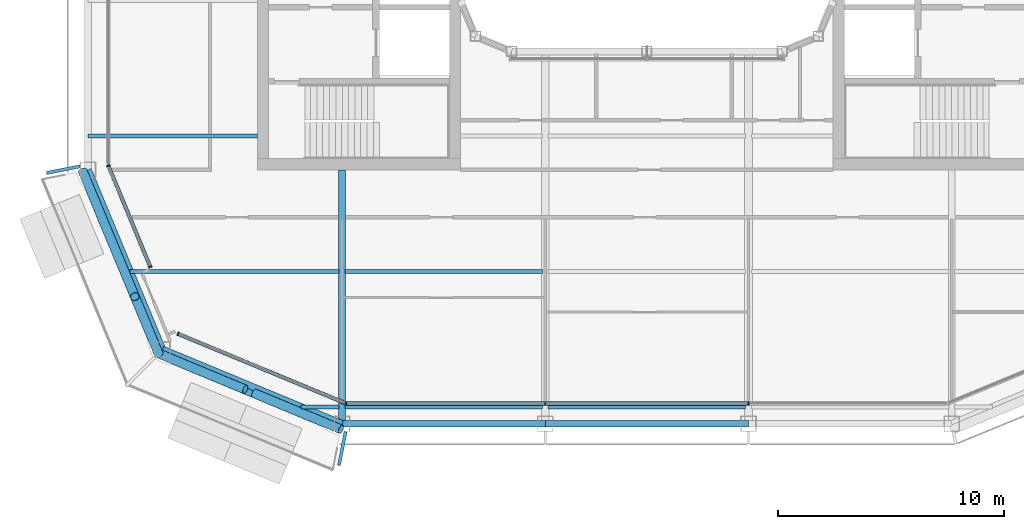
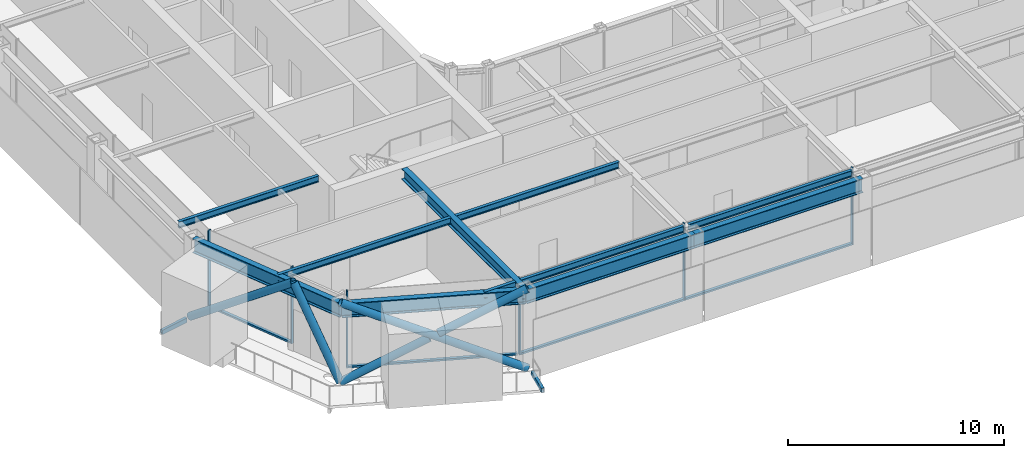
# One storey, part 3 of 21: 15 members, 13 beams, 3 elements without a shape of their own.
"""IFC4 building model written with IfcOpenShell, lengths in metres."""

from ifc_helpers import new_model, si_unit, direction, frame, origin, origin_2d, place, context, subcontext, project, spatial, rectangle, hollow_rectangle, hollow_circle, i_section, extrude, material, layer, layer_set, material_profile, profile_set, type_object, element, aggregate, save


model = new_model("IFC4")

# Units and contexts
model_context = context("Model", 3, precision=1e-05, world=origin(), true_north=direction((0.0, 1.0)))
body_context = subcontext(model_context, "Body", "Model", "MODEL_VIEW")
ifc_project = project(units=[si_unit("LENGTHUNIT", "METRE"), si_unit("AREAUNIT", "SQUARE_METRE"), si_unit("VOLUMEUNIT", "CUBIC_METRE"), si_unit("PLANEANGLEUNIT", "RADIAN"), si_unit("MASSUNIT", "GRAM", prefix="KILO")], contexts=[model_context])

# Site, building, storey
site_placement = place(None, origin())
site = spatial("IfcSite", under=ifc_project, at=site_placement, CompositionType="ELEMENT")
building_placement = place(site_placement, origin())
building = spatial("IfcBuilding", under=site, at=building_placement, Name="Siwar Civic Tower", CompositionType="ELEMENT")
storey_placement = place(building_placement, frame((0.0, 0.0, 334.699951171875)))
storey = spatial("IfcBuildingStorey", under=building, at=storey_placement, Name="L72", CompositionType="ELEMENT", Elevation=334.699951171875)

# Beams
ifc_material_1 = material(Name="Steel S355", Category="steel")
ifc_material_profile_1 = material_profile(ifc_material_1, hollow_rectangle(XDim=0.14990234375, YDim=0.25, WallThickness=0.010009765625, at=origin_2d()), Name="RHS250x150x10")
ifc_profile_set_1 = profile_set([ifc_material_profile_1], Name="Steel S355")
beam_type_1 = type_object("IfcBeamType", Name="ENV-BALCONY ARM", PredefinedType="BEAM", material=ifc_profile_set_1)
for number, where, z_axis, x_axis, name in (
    (1, (-25.10009765625, -13.34521484375, -0.27490234375), (-0.980778646446, -0.195123670207, 0.0), (0.195123670207, -0.980778646446, 0.0), "Balcony cantilever beam SW 1"),
    (2, (-13.34521484375, -25.10009765625, -0.27490234375), (-0.195123670207, -0.980778646446, 0.0), (0.980778646446, -0.195123670207, 0.0), "Balcony cantilever beam SW 3"),
):
    element("IfcBeam", number, at=place(storey_placement, frame(where, z_axis=z_axis, x_axis=x_axis)), inside=storey, type_object=beam_type_1, Name=name, PredefinedType="BEAM", context=body_context, shape_type="SweptSolid", body=[
        extrude(hollow_rectangle(XDim=0.14990234375, YDim=0.25, WallThickness=0.010009765625, at=origin_2d()), origin(), (0.0, 0.0, 1.0), 1.513916015625),
    ])

# Curtain wall, members
ifc_material_2 = material(Name="Aluminium and glass", Category="aluminium")
ifc_layer_1 = layer(ifc_material_2, 0.159912109375)
ifc_layer_set_1 = layer_set([ifc_layer_1], Name="Aluminium and glass")
curtain_wall_type_1 = type_object("IfcCurtainWallType", Name="ENV-CW-D", PredefinedType="NOTDEFINED", material=ifc_layer_set_1)
curtain_wall_1_placement = place(storey_placement, origin())
curtain_wall_1 = element("IfcCurtainWall", 3, at=curtain_wall_1_placement, inside=storey, type_object=curtain_wall_type_1, Name="Curtain wall D S", PredefinedType="NOTDEFINED")
ifc_material_3 = material(Name="Aluminium 6063-T6", Category="aluminium")
ifc_material_profile_2 = material_profile(ifc_material_3, rectangle(XDim=0.159912109375, YDim=0.06005859375, at=origin_2d()), Name="AL 160x60")
ifc_profile_set_2 = profile_set([ifc_material_profile_2], Name="Aluminium 6063-T6")
member_type_1 = type_object("IfcMemberType", Name="ENV-MULLION-D", PredefinedType="MULLION", material=ifc_profile_set_2)
member_1_placement = place(storey_placement, frame((-13.321044921875, -23.85009765625, 0.0), z_axis=(0.0, 0.0, 1.0), x_axis=(0.0, 1.0, 0.0)))
member_1 = element("IfcMember", 4, at=member_1_placement, type_object=member_type_1, Name="Mullion D S 1", PredefinedType="MULLION", context=body_context, shape_type="SweptSolid", body=[
    extrude(rectangle(XDim=0.159912109375, YDim=0.06005859375, at=origin_2d()), origin(), (0.0, 0.0, 1.0), 4.35009765625),
])
member_2_placement = place(storey_placement, frame((-4.5, -23.85009765625, 0.0), z_axis=(0.0, 0.0, 1.0), x_axis=(0.0, 1.0, 0.0)))
member_2 = element("IfcMember", 5, at=member_2_placement, type_object=member_type_1, Name="Mullion D S 2", PredefinedType="MULLION", context=body_context, shape_type="SweptSolid", body=[
    extrude(rectangle(XDim=0.159912109375, YDim=0.06005859375, at=origin_2d()), origin(), (0.0, 0.0, 1.0), 4.35009765625),
])
member_3_placement = place(storey_placement, frame((4.5, -23.85009765625, 0.0), z_axis=(0.0, 0.0, 1.0), x_axis=(0.0, 1.0, 0.0)))
member_3 = element("IfcMember", 6, at=member_3_placement, type_object=member_type_1, Name="Mullion D S 3", PredefinedType="MULLION", context=body_context, shape_type="SweptSolid", body=[
    extrude(rectangle(XDim=0.159912109375, YDim=0.06005859375, at=origin_2d()), origin(), (0.0, 0.0, 1.0), 4.35009765625),
])

ifc_material_4 = material(Name="Aluminium clad insulated panel", Category="aluminium")
ifc_layer_2 = layer(ifc_material_4, 0.159912109375)
ifc_layer_set_2 = layer_set([ifc_layer_2], Name="Aluminium clad insulated panel")
curtain_wall_type_2 = type_object("IfcCurtainWallType", Name="ENV-CW-DX", PredefinedType="NOTDEFINED", material=ifc_layer_set_2)
curtain_wall_2_placement = place(storey_placement, origin())
curtain_wall_2 = element("IfcCurtainWall", 7, at=curtain_wall_2_placement, inside=storey, type_object=curtain_wall_type_2, Name="Curtain wall D SW1", PredefinedType="NOTDEFINED")
member_4_placement = place(storey_placement, frame((-23.85009765625, -13.321044921875, 0.0), z_axis=(0.0, 0.0, 1.0), x_axis=(0.923879532511, 0.382683432365, 0.0)))
member_4 = element("IfcMember", 8, at=member_4_placement, type_object=member_type_1, Name="Mullion D SW1 1", PredefinedType="MULLION", context=body_context, shape_type="SweptSolid", body=[
    extrude(rectangle(XDim=0.159912109375, YDim=0.06005859375, at=origin_2d()), origin(), (0.0, 0.0, 1.0), 4.35009765625),
])
member_5_placement = place(storey_placement, frame((-21.9951171875, -17.799072265625, 0.0), z_axis=(0.0, 0.0, 1.0), x_axis=(0.923879532511, 0.382683432365, 0.0)))
member_5 = element("IfcMember", 9, at=member_5_placement, type_object=member_type_1, Name="Mullion D SW1 2", PredefinedType="MULLION", context=body_context, shape_type="SweptSolid", body=[
    extrude(rectangle(XDim=0.159912109375, YDim=0.06005859375, at=origin_2d()), origin(), (0.0, 0.0, 1.0), 4.35009765625),
])

# Curtain wall, member
curtain_wall_3_placement = place(storey_placement, origin())
curtain_wall_3 = element("IfcCurtainWall", 10, at=curtain_wall_3_placement, inside=storey, type_object=curtain_wall_type_2, Name="Curtain wall D SW2", PredefinedType="NOTDEFINED")
member_6_placement = place(storey_placement, frame((-20.76611328125, -20.76611328125, 0.0), z_axis=(0.0, 0.0, 1.0), x_axis=(0.382683432365, 0.923879532511, 0.0)))
member_6 = element("IfcMember", 11, at=member_6_placement, type_object=member_type_1, Name="Mullion D SW2 1", PredefinedType="MULLION", context=body_context, shape_type="SweptSolid", body=[
    extrude(rectangle(XDim=0.159912109375, YDim=0.06005859375, at=origin_2d()), origin(), (0.0, 0.0, 1.0), 4.35009765625),
])

# Member
ifc_material_5 = material(Name="Aluminium 6063-T6", Category="aluminium")
ifc_material_profile_3 = material_profile(ifc_material_5, rectangle(XDim=0.159912109375, YDim=0.10009765625, at=origin_2d()), Name="AL 160x100")
ifc_profile_set_3 = profile_set([ifc_material_profile_3], Name="Aluminium 6063-T6")
member_type_2 = type_object("IfcMemberType", Name="ENV-TRANSOM-D", PredefinedType="USERDEFINED", material=ifc_profile_set_3)
member_7_placement = place(storey_placement, frame((-13.291015625, -23.85009765625, 0.050048828125), z_axis=(1.0, 0.0, 0.0), x_axis=(0.0, 1.0, 0.0)))
member_7 = element("IfcMember", 12, at=member_7_placement, type_object=member_type_2, Name="Transom D S 1", ObjectType="TRANSOM", PredefinedType="USERDEFINED", context=body_context, shape_type="SweptSolid", body=[
    extrude(rectangle(XDim=0.159912109375, YDim=0.10009765625, at=origin_2d()), origin(), (0.0, 0.0, 1.0), 8.760986328125),
])

member_8_placement = place(storey_placement, frame((-4.469970703125, -23.85009765625, 0.050048828125), z_axis=(1.0, 0.0, 0.0), x_axis=(0.0, 1.0, 0.0)))
member_8 = element("IfcMember", 13, at=member_8_placement, type_object=member_type_2, Name="Transom D S 2", ObjectType="TRANSOM", PredefinedType="USERDEFINED", context=body_context, shape_type="SweptSolid", body=[
    extrude(rectangle(XDim=0.159912109375, YDim=0.10009765625, at=origin_2d()), origin(), (0.0, 0.0, 1.0), 8.93994140625),
])

aggregate(curtain_wall_1, [member_1, member_2, member_3, member_7, member_8])

member_9_placement = place(storey_placement, frame((-23.838623046875, -13.3486328125, 0.050048828125), z_axis=(0.382688094537, -0.923877601363, 0.0), x_axis=(0.923877601363, 0.382688094537, 0.0)))
member_9 = element("IfcMember", 14, at=member_9_placement, type_object=member_type_2, Name="Transom D SW1 1", ObjectType="TRANSOM", PredefinedType="USERDEFINED", context=body_context, shape_type="SweptSolid", body=[
    extrude(rectangle(XDim=0.159912109375, YDim=0.10009765625, at=origin_2d()), origin(), (0.0, 0.0, 1.0), 4.787353515625),
])

aggregate(curtain_wall_2, [member_4, member_5, member_9])

member_10_placement = place(storey_placement, frame((-20.738525390625, -20.777587890625, 0.050048828125), z_axis=(0.923883640343, -0.382673515031, 0.0), x_axis=(0.382673515031, 0.923883640343, 0.0)))
member_10 = element("IfcMember", 15, at=member_10_placement, type_object=member_type_2, Name="Transom D SW2 1", ObjectType="TRANSOM", PredefinedType="USERDEFINED", context=body_context, shape_type="SweptSolid", body=[
    extrude(rectangle(XDim=0.159912109375, YDim=0.10009765625, at=origin_2d()), origin(), (0.0, 0.0, 1.0), 7.930908203125),
])

aggregate(curtain_wall_3, [member_6, member_10])

# Members
ifc_material_6 = material(Name="Steel S355", Category="steel")
ifc_material_profile_4 = material_profile(ifc_material_6, hollow_circle(Radius=0.203125, WallThickness=0.01611328125, at=origin_2d()), Name="CHS406.4x16")
ifc_profile_set_4 = profile_set([ifc_material_profile_4], Name="Steel S355")
member_type_3 = type_object("IfcMemberType", Name="STR-BR-CHS406.4x16", PredefinedType="BRACE", material=ifc_profile_set_4)
member_11_placement = place(storey_placement, frame((-13.548828125, -24.9951171875, 0.0), z_axis=(-0.821142553604, 0.341671493852, 0.457149315816), x_axis=(-0.384163874976, -0.923264922524, 0.0)))
element("IfcMember", 16, at=member_11_placement, inside=storey, type_object=member_type_3, Name="L72/brc/DSW1-11-0-1", PredefinedType="BRACE", context=body_context, shape_type="SweptSolid", body=[
    extrude(hollow_circle(Radius=0.203125, WallThickness=0.01611328125, at=origin_2d()), origin(), (0.0, 0.0, 1.0), 9.843505859375),
])
member_12_placement = place(storey_placement, frame((-21.6318359375, -21.6318359375, 0.0), z_axis=(0.821147096886, -0.341644380467, 0.457161418507), x_axis=(0.38413607648, 0.923276488787, 0.0)))
element("IfcMember", 17, at=member_12_placement, inside=storey, type_object=member_type_3, Name="L72/brc/DSW1-11-0-2", PredefinedType="BRACE", context=body_context, shape_type="SweptSolid", body=[
    extrude(hollow_circle(Radius=0.203125, WallThickness=0.01611328125, at=origin_2d()), origin(), (0.0, 0.0, 1.0), 4.677001953125),
])
member_13_placement = place(storey_placement, frame((-17.38916015625, -23.397216796875, 2.362060546875), z_axis=(0.821149689876, -0.341667178655, 0.457139722456), x_axis=(0.384156893273, 0.923267827529, 0.0)))
element("IfcMember", 18, at=member_13_placement, inside=storey, type_object=member_type_3, Name="L72/brc/DSW1-11-0-3", PredefinedType="BRACE", context=body_context, shape_type="SweptSolid", body=[
    extrude(hollow_circle(Radius=0.203125, WallThickness=0.01611328125, at=origin_2d()), origin(), (0.0, 0.0, 1.0), 4.6767578125),
])
member_14_placement = place(storey_placement, frame((-24.9951171875, -13.548828125, 0.0), z_axis=(0.307903068035, -0.739973158344, 0.598026275029), x_axis=(0.923262455747, 0.384169803352, 0.0)))
element("IfcMember", 19, at=member_14_placement, inside=storey, type_object=member_type_3, Name="L72/brc/DSW1-11-0-0", PredefinedType="BRACE", context=body_context, shape_type="SweptSolid", body=[
    extrude(hollow_circle(Radius=0.203125, WallThickness=0.01611328125, at=origin_2d()), origin(), (0.0, 0.0, 1.0), 7.524658203125),
])
member_15_placement = place(storey_placement, frame((-21.6318359375, -21.6318359375, 0.0), z_axis=(-0.198925611165, 0.478099094869, 0.855482236349), x_axis=(-0.92327038402, -0.384150749045, 0.0)))
element("IfcMember", 20, at=member_15_placement, inside=storey, type_object=member_type_3, Name="L72/brc/DSW1-11-0-6", PredefinedType="BRACE", context=body_context, shape_type="SweptSolid", body=[
    extrude(hollow_circle(Radius=0.203125, WallThickness=0.01611328125, at=origin_2d()), origin(), (0.0, 0.0, 1.0), 5.26025390625),
])

# Beams
ifc_material_7 = material(Name="Steel S355", Category="steel")
ifc_material_profile_5 = material_profile(ifc_material_7, i_section(OverallWidth=0.169921875, OverallDepth=0.360107421875, WebThickness=0.008056640625, FlangeThickness=0.0126953125, FilletRadius=0.01806640625, at=origin_2d()), Name="IPE360")
ifc_profile_set_5 = profile_set([ifc_material_profile_5], Name="Steel S355")
beam_type_2 = type_object("IfcBeamType", Name="STR-FB-IPE360", PredefinedType="JOIST", material=ifc_profile_set_5)
beam_1_placement = place(storey_placement, frame((-15.310546875, -24.0, 4.170166015625), z_axis=(1.0, 0.0, 0.0), x_axis=(0.0, 1.0, 0.0)))
element("IfcBeam", 21, at=beam_1_placement, inside=storey, type_object=beam_type_2, Name="L72/bm/F001", PredefinedType="JOIST", context=body_context, shape_type="SweptSolid", body=[
    extrude(i_section(OverallWidth=0.169921875, OverallDepth=0.360107421875, WebThickness=0.008056640625, FlangeThickness=0.0126953125, FilletRadius=0.01806640625, at=origin_2d()), origin(), (0.0, 0.0, 1.0), 1.6806640625),
])
for number, where, z_axis, x_axis, name in (
    (22, (-13.3701171875, -24.0, 4.170166015625), (1.0, 0.0, 0.0), (0.0, 1.0, 0.0), "L72/bm/F002"),
    (23, (-4.3701171875, -24.0, 4.170166015625), (1.0, 0.0, 0.0), (0.0, 1.0, 0.0), "L72/bm/F003"),
):
    element("IfcBeam", number, at=place(storey_placement, frame(where, z_axis=z_axis, x_axis=x_axis)), inside=storey, type_object=beam_type_2, Name=name, PredefinedType="JOIST", context=body_context, shape_type="SweptSolid", body=[
        extrude(i_section(OverallWidth=0.169921875, OverallDepth=0.360107421875, WebThickness=0.008056640625, FlangeThickness=0.0126953125, FilletRadius=0.01806640625, at=origin_2d()), origin(), (0.0, 0.0, 1.0), 8.740234375),
    ])
beam_2_placement = place(storey_placement, frame((-22.885986328125, -18.0, 4.170166015625), z_axis=(1.0, 0.0, 0.0), x_axis=(0.0, 1.0, 0.0)))
element("IfcBeam", 24, at=beam_2_placement, inside=storey, type_object=beam_type_2, Name="L72/bm/F006", PredefinedType="JOIST", context=body_context, shape_type="SweptSolid", body=[
    extrude(i_section(OverallWidth=0.169921875, OverallDepth=0.360107421875, WebThickness=0.008056640625, FlangeThickness=0.0126953125, FilletRadius=0.01806640625, at=origin_2d()), origin(), (0.0, 0.0, 1.0), 9.256103515625),
])
beam_3_placement = place(storey_placement, frame((-13.3701171875, -18.0, 4.170166015625), z_axis=(1.0, 0.0, 0.0), x_axis=(0.0, 1.0, 0.0)))
element("IfcBeam", 25, at=beam_3_placement, inside=storey, type_object=beam_type_2, Name="L72/bm/F007", PredefinedType="JOIST", context=body_context, shape_type="SweptSolid", body=[
    extrude(i_section(OverallWidth=0.169921875, OverallDepth=0.360107421875, WebThickness=0.008056640625, FlangeThickness=0.0126953125, FilletRadius=0.01806640625, at=origin_2d()), origin(), (0.0, 0.0, 1.0), 8.740234375),
])
beam_4_placement = place(storey_placement, frame((-24.75, -12.0, 4.170166015625), z_axis=(1.0, 0.0, 0.0), x_axis=(0.0, 1.0, 0.0)))
element("IfcBeam", 26, at=beam_4_placement, inside=storey, type_object=beam_type_2, Name="L72/bm/F011", PredefinedType="JOIST", context=body_context, shape_type="SweptSolid", body=[
    extrude(i_section(OverallWidth=0.169921875, OverallDepth=0.360107421875, WebThickness=0.008056640625, FlangeThickness=0.0126953125, FilletRadius=0.01806640625, at=origin_2d()), origin(), (0.0, 0.0, 1.0), 7.5),
])
ifc_material_8 = material(Name="Steel S355", Category="steel")
ifc_material_profile_6 = material_profile(ifc_material_8, i_section(OverallWidth=0.300048828125, OverallDepth=0.60009765625, WebThickness=0.015380859375, FlangeThickness=0.030029296875, FilletRadius=0.027099609375, at=origin_2d()), Name="HEB600")
ifc_profile_set_6 = profile_set([ifc_material_profile_6], Name="Steel S355")
beam_type_3 = type_object("IfcBeamType", Name="STR-PG-HEB600", PredefinedType="BEAM", material=ifc_profile_set_6)
beam_5_placement = place(storey_placement, frame((-13.5, -24.75, 4.050048828125), z_axis=(0.0, 1.0, 0.0), x_axis=(-1.0, 0.0, 0.0)))
element("IfcBeam", 27, at=beam_5_placement, inside=storey, type_object=beam_type_3, Name="L72/bm/G01", PredefinedType="BEAM", context=body_context, shape_type="SweptSolid", body=[
    extrude(i_section(OverallWidth=0.300048828125, OverallDepth=0.60009765625, WebThickness=0.015380859375, FlangeThickness=0.030029296875, FilletRadius=0.027099609375, at=origin_2d()), origin(), (0.0, 0.0, 1.0), 11.25),
])
ifc_material_9 = material(Name="Steel S355", Category="steel")
ifc_material_profile_7 = material_profile(ifc_material_9, i_section(OverallWidth=0.300048828125, OverallDepth=0.800048828125, WebThickness=0.017578125, FlangeThickness=0.032958984375, FilletRadius=0.030029296875, at=origin_2d()), Name="HEB800")
ifc_profile_set_7 = profile_set([ifc_material_profile_7], Name="Steel S355")
beam_type_4 = type_object("IfcBeamType", Name="STR-SB-HEB800", PredefinedType="BEAM", material=ifc_profile_set_7)
for number, where, z_axis, x_axis, name in (
    (28, (-13.5, -24.75, 3.949951171875), (1.0, 0.0, 0.0), (0.0, 1.0, 0.0), "L72/bm/SS-0"),
    (29, (-4.5, -24.75, 3.949951171875), (1.0, 0.0, 0.0), (0.0, 1.0, 0.0), "L72/bm/SS-1"),
):
    element("IfcBeam", number, at=place(storey_placement, frame(where, z_axis=z_axis, x_axis=x_axis)), inside=storey, type_object=beam_type_4, Name=name, PredefinedType="BEAM", context=body_context, shape_type="SweptSolid", body=[
        extrude(i_section(OverallWidth=0.300048828125, OverallDepth=0.800048828125, WebThickness=0.017578125, FlangeThickness=0.032958984375, FilletRadius=0.030029296875, at=origin_2d()), origin(), (0.0, 0.0, 1.0), 9.0),
    ])
for number, where, z_axis, x_axis, name in (
    (30, (-24.75, -13.5, 3.949951171875), (0.382699877515, -0.923872720536, 0.0), (0.923872720536, 0.382699877515, 0.0), "L72/bm/SSW1-0"),
    (31, (-21.454833984375, -21.454833984375, 3.949951171875), (0.923872720536, -0.382699877515, 0.0), (0.382699877515, 0.923872720536, 0.0), "L72/bm/SSW2-0"),
):
    element("IfcBeam", number, at=place(storey_placement, frame(where, z_axis=z_axis, x_axis=x_axis)), inside=storey, type_object=beam_type_4, Name=name, PredefinedType="BEAM", context=body_context, shape_type="SweptSolid", body=[
        extrude(i_section(OverallWidth=0.300048828125, OverallDepth=0.800048828125, WebThickness=0.017578125, FlangeThickness=0.032958984375, FilletRadius=0.030029296875, at=origin_2d()), origin(), (0.0, 0.0, 1.0), 8.6103515625),
    ])

save(model, "model.ifc")
